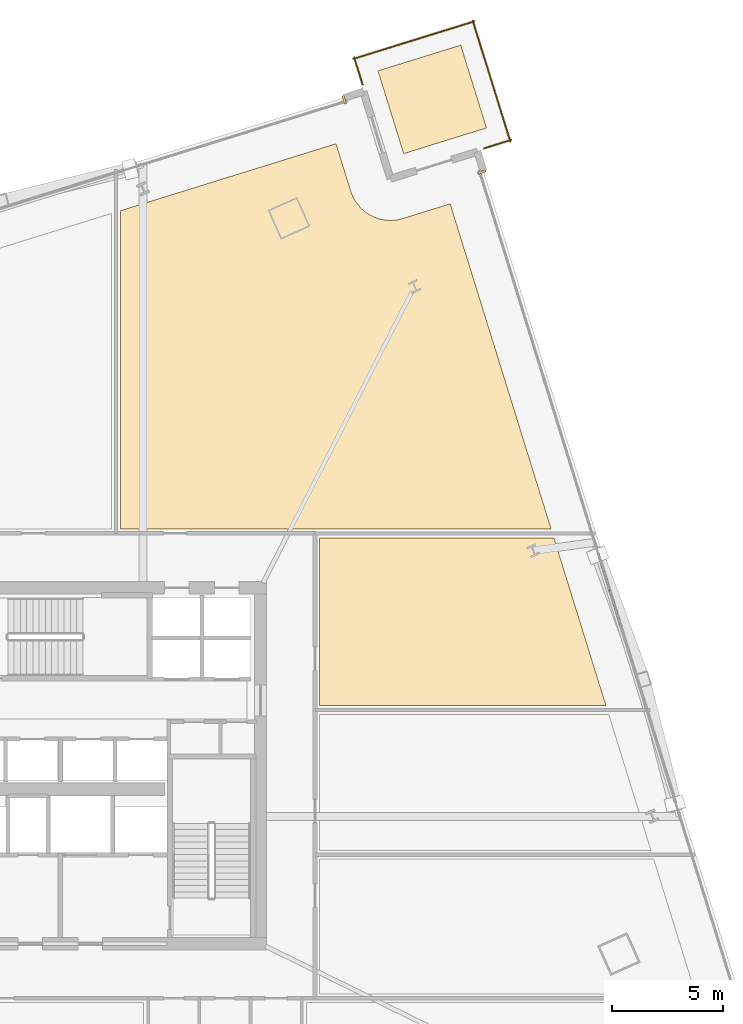
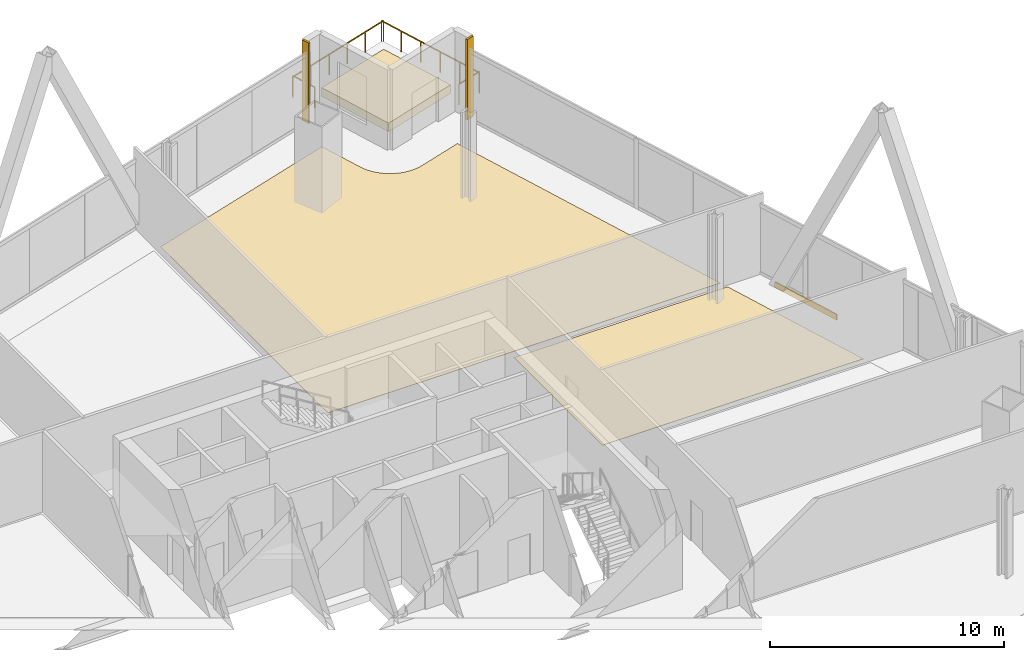
# One storey, part 26 of 26: 6 coverings, 4 railings.
"""IFC4 building model written with IfcOpenShell, lengths in metres."""

from ifc_helpers import new_model, si_unit, direction, frame, origin, origin_2d, place, context, subcontext, project, spatial, polyline, rectangle, outline, extrude, source, transform, mapped, material, layer, layer_set, type_object, element, save


model = new_model("IFC4")

# Units and contexts
model_context = context("Model", 3, precision=1e-05, world=origin(), true_north=direction((0.0, 1.0)))
body_context = subcontext(model_context, "Body", "Model", "MODEL_VIEW")
ifc_project = project(units=[si_unit("LENGTHUNIT", "METRE"), si_unit("AREAUNIT", "SQUARE_METRE"), si_unit("VOLUMEUNIT", "CUBIC_METRE"), si_unit("PLANEANGLEUNIT", "RADIAN"), si_unit("MASSUNIT", "GRAM", prefix="KILO")], contexts=[model_context])

# Site, building, storey
site_placement = place(None, origin())
site = spatial("IfcSite", under=ifc_project, at=site_placement, CompositionType="ELEMENT")
building_placement = place(site_placement, origin())
building = spatial("IfcBuilding", under=site, at=building_placement, Name="Haldenkirk Collegiate Tower", CompositionType="ELEMENT")
storey_placement = place(building_placement, frame((0.0, 0.0, 85.949951171875)))
storey = spatial("IfcBuildingStorey", under=building, at=storey_placement, Name="L20", CompositionType="ELEMENT", Elevation=85.949951171875)

# Coverings
ifc_material_1 = material(Name="Engineered collegiate oak acoustic flooring", Category="wood")
ifc_layer_1 = layer(ifc_material_1, 0.02197265625)
ifc_layer_set_1 = layer_set([ifc_layer_1], Name="Engineered collegiate oak acoustic flooring")
covering_type_1 = type_object("IfcCoveringType", Name="COV-FLOOR-TIMBER", PredefinedType="FLOORING", material=ifc_layer_set_1)
covering_1_placement = place(storey_placement, origin())
element("IfcCovering", 1, at=covering_1_placement, inside=storey, type_object=covering_type_1, Name="L20 academic room finish 07", PredefinedType="FLOORING", context=body_context, shape_type="SweptSolid", body=[
    extrude(outline(polyline([(48.395263671875, 53.96337890625), (49.056396484375, 51.833740234375), (49.058349609375, 51.828369140625), (49.1171875, 51.6669921875), (49.121826171875, 51.656005859375), (49.1962890625, 51.501220703125), (49.201904296875, 51.490966796875), (49.291259765625, 51.34423828125), (49.2978515625, 51.33447265625), (49.40087890625, 51.197265625), (49.408447265625, 51.18798828125), (49.524658203125, 51.0615234375), (49.533203125, 51.053466796875), (49.6611328125, 50.93896484375), (49.670166015625, 50.931396484375), (49.808837890625, 50.830078125), (49.818603515625, 50.823486328125), (49.966552734375, 50.736328125), (49.97705078125, 50.730712890625), (50.1328125, 50.658447265625), (50.1435546875, 50.654052734375), (50.3056640625, 50.59716796875), (50.31689453125, 50.59375), (50.48388671875, 50.552978515625), (50.495361328125, 50.55078125), (50.66552734375, 50.52685546875), (50.67724609375, 50.525634765625), (50.8486328125, 50.518310546875), (50.860595703125, 50.5185546875), (51.031982421875, 50.528076171875), (51.043701171875, 50.529296875), (51.21337890625, 50.5556640625), (51.224853515625, 50.55810546875), (51.39111328125, 50.600830078125), (51.39697265625, 50.602294921875), (53.526611328125, 51.263671875), (58.064208984375, 36.64990234375), (38.699951171875, 36.64990234375), (38.699951171875, 50.952880859375), (48.395263671875, 53.96337890625)])), origin(), (0.0, 0.0, 1.0), 0.02197265625),
])
covering_2_placement = place(storey_placement, origin())
element("IfcCovering", 2, at=covering_2_placement, inside=storey, type_object=covering_type_1, Name="L20 academic room finish 11", PredefinedType="FLOORING", context=body_context, shape_type="SweptSolid", body=[
    extrude(outline(polyline([(60.532958984375, 28.699951171875), (47.64990234375, 28.699951171875), (47.64990234375, 36.25), (58.1884765625, 36.25), (60.532958984375, 28.699951171875)])), origin(), (0.0, 0.0, 1.0), 0.02197265625),
])
ifc_material_2 = material(Name="Precast concrete f'c 40 MPa", Category="concrete")
ifc_layer_2 = layer(ifc_material_2, 0.449951171875)
ifc_layer_set_2 = layer_set([ifc_layer_2], Name="Precast concrete f'c 40 MPa")
covering_type_2 = type_object("IfcCoveringType", Name="COV-PLANTER-450", PredefinedType="USERDEFINED", material=ifc_layer_set_2)
covering_3_placement = place(storey_placement, origin())
element("IfcCovering", 3, at=covering_3_placement, inside=storey, type_object=covering_type_2, Name="L20 planted garden planter bed", ObjectType="PLANTER", PredefinedType="USERDEFINED", context=body_context, shape_type="SweptSolid", body=[
    extrude(outline(polyline([(51.43505859375, 53.5146484375), (50.278564453125, 57.2392578125), (54.003173828125, 58.395751953125), (55.15966796875, 54.671142578125), (51.43505859375, 53.5146484375)])), origin(), (0.0, 0.0, 1.0), 0.449951171875),
])

# Railings
ifc_material_3 = material(Name="Anodised architectural bronze aluminium", Category="aluminium")
railing_type = type_object("IfcRailingType", Name="RLG-TERR-BALUSTRADE-1100", PredefinedType="BALUSTRADE", material=ifc_material_3)
railing_1_placement = place(storey_placement, frame((55.0458984375, 53.75634765625, 0.0)))
element("IfcRailing", 4, at=railing_1_placement, inside=storey, type_object=railing_type, Name="L20 terrace guard balustrade 1-1", PredefinedType="BALUSTRADE", context=body_context, shape_type="SweptSolid", body=[
    extrude(rectangle(XDim=0.048095703125, YDim=0.048095703125, at=origin_2d()), frame((0.0, 0.0, 1.076171875), z_axis=(0.955004539038, 0.296591183983, 0.0), x_axis=(-0.296591183983, 0.955004539038, 0.0)), (0.0, 0.0, 1.0), 1.280029296875),
    extrude(rectangle(XDim=0.0419921875, YDim=0.0419921875, at=origin_2d()), origin(), (0.0, 0.0, 1.0), 1.052001953125),
    extrude(rectangle(XDim=0.0419921875, YDim=0.0419921875, at=origin_2d()), frame((0.611328125, 0.18994140625, 0.0)), (0.0, 0.0, 1.0), 1.052001953125),
    extrude(rectangle(XDim=0.0419921875, YDim=0.0419921875, at=origin_2d()), frame((1.222412109375, 0.379638671875, 0.0)), (0.0, 0.0, 1.0), 1.052001953125),
])
railing_2_placement = place(storey_placement, frame((56.228759765625, 54.060791015625, 0.0)))
element("IfcRailing", 5, at=railing_2_placement, inside=storey, type_object=railing_type, Name="L20 terrace guard balustrade 2-1", PredefinedType="BALUSTRADE", context=body_context, shape_type="SweptSolid", body=[
    extrude(rectangle(XDim=0.048095703125, YDim=0.048095703125, at=origin_2d()), frame((0.0, 0.0, 1.076171875), z_axis=(-0.296564915139, 0.955012696831, 0.0), x_axis=(-0.955012696831, -0.296564915139, 0.0)), (0.0, 0.0, 1.0), 5.699951171875),
    extrude(rectangle(XDim=0.0419921875, YDim=0.0419921875, at=origin_2d()), origin(), (0.0, 0.0, 1.0), 1.052001953125),
    extrude(rectangle(XDim=0.0419921875, YDim=0.0419921875, at=origin_2d()), frame((-0.338134765625, 1.088623046875, 0.0)), (0.0, 0.0, 1.0), 1.052001953125),
    extrude(rectangle(XDim=0.0419921875, YDim=0.0419921875, at=origin_2d()), frame((-0.67626953125, 2.177490234375, 0.0)), (0.0, 0.0, 1.0), 1.052001953125),
    extrude(rectangle(XDim=0.0419921875, YDim=0.0419921875, at=origin_2d()), frame((-1.01416015625, 3.26611328125, 0.0)), (0.0, 0.0, 1.0), 1.052001953125),
    extrude(rectangle(XDim=0.0419921875, YDim=0.0419921875, at=origin_2d()), frame((-1.352294921875, 4.35498046875, 0.0)), (0.0, 0.0, 1.0), 1.052001953125),
    extrude(rectangle(XDim=0.0419921875, YDim=0.0419921875, at=origin_2d()), frame((-1.6904296875, 5.443603515625, 0.0)), (0.0, 0.0, 1.0), 1.052001953125),
])
railing_3_placement = place(storey_placement, frame((54.613525390625, 59.46484375, 0.0)))
element("IfcRailing", 6, at=railing_3_placement, inside=storey, type_object=railing_type, Name="L20 terrace guard balustrade 3-1", PredefinedType="BALUSTRADE", context=body_context, shape_type="SweptSolid", body=[
    extrude(rectangle(XDim=0.048095703125, YDim=0.048095703125, at=origin_2d()), frame((0.0, 0.0, 1.076171875), z_axis=(-0.955024827047, -0.296525850009, 0.0), x_axis=(0.296525850009, -0.955024827047, 0.0)), (0.0, 0.0, 1.0), 5.699951171875),
    extrude(rectangle(XDim=0.0419921875, YDim=0.0419921875, at=origin_2d()), origin(), (0.0, 0.0, 1.0), 1.052001953125),
    extrude(rectangle(XDim=0.0419921875, YDim=0.0419921875, at=origin_2d()), frame((-1.088623046875, -0.338134765625, 0.0)), (0.0, 0.0, 1.0), 1.052001953125),
    extrude(rectangle(XDim=0.0419921875, YDim=0.0419921875, at=origin_2d()), frame((-2.177490234375, -0.676025390625, 0.0)), (0.0, 0.0, 1.0), 1.052001953125),
    extrude(rectangle(XDim=0.0419921875, YDim=0.0419921875, at=origin_2d()), frame((-3.26611328125, -1.01416015625, 0.0)), (0.0, 0.0, 1.0), 1.052001953125),
    extrude(rectangle(XDim=0.0419921875, YDim=0.0419921875, at=origin_2d()), frame((-4.35498046875, -1.35205078125, 0.0)), (0.0, 0.0, 1.0), 1.052001953125),
    extrude(rectangle(XDim=0.0419921875, YDim=0.0419921875, at=origin_2d()), frame((-5.443603515625, -1.690185546875, 0.0)), (0.0, 0.0, 1.0), 1.052001953125),
])
railing_4_placement = place(storey_placement, frame((49.20947265625, 57.849609375, 0.0)))
element("IfcRailing", 7, at=railing_4_placement, inside=storey, type_object=railing_type, Name="L20 terrace guard balustrade 4-1", PredefinedType="BALUSTRADE", context=body_context, shape_type="SweptSolid", body=[
    extrude(rectangle(XDim=0.048095703125, YDim=0.048095703125, at=origin_2d()), frame((0.0, 0.0, 1.076171875), z_axis=(0.296591183983, -0.955004539038, 0.0), x_axis=(0.955004539038, 0.296591183983, 0.0)), (0.0, 0.0, 1.0), 1.280029296875),
    extrude(rectangle(XDim=0.0419921875, YDim=0.0419921875, at=origin_2d()), origin(), (0.0, 0.0, 1.0), 1.052001953125),
    extrude(rectangle(XDim=0.0419921875, YDim=0.0419921875, at=origin_2d()), frame((0.18994140625, -0.611328125, 0.0)), (0.0, 0.0, 1.0), 1.052001953125),
    extrude(rectangle(XDim=0.0419921875, YDim=0.0419921875, at=origin_2d()), frame((0.379638671875, -1.222412109375, 0.0)), (0.0, 0.0, 1.0), 1.052001953125),
])

# Coverings
ifc_layer_3 = layer(ifc_material_3, 0.06005859375)
ifc_layer_set_3 = layer_set([ifc_layer_3], Name="Anodised architectural bronze aluminium")
covering_type_3 = type_object("IfcCoveringType", Name="COV-CLAD-BRONZE-60", PredefinedType="CLADDING", material=ifc_layer_set_3)
shared_shape_1 = source(origin(), body_context, "Body", "SweptSolid", [
    extrude(rectangle(XDim=3.60009765625, YDim=0.06005859375, at=origin_2d()), origin(), (0.0, 0.0, 1.0), 0.300048828125),
])
covering_4_placement = place(storey_placement, frame((60.69482421875, 33.877197265625, -0.2998046875), z_axis=(0.0, 0.0, 1.0), x_axis=(0.296541574976, -0.955019944457, 0.0)))
element("IfcCovering", 8, at=covering_4_placement, inside=storey, type_object=covering_type_3, Name="L20 architectural bronze spandrel cladding E", PredefinedType="CLADDING", context=body_context, shape_type="MappedRepresentation", body=[
    mapped(shared_shape_1, transform((0.0, 0.0, 0.0), x_axis=(1.0, 0.0, 0.0), y_axis=(0.0, 1.0, 0.0), z_axis=(0.0, 0.0, 1.0), scale=1.0)),
])
shared_shape_2 = source(origin(), body_context, "Body", "SweptSolid", [
    extrude(rectangle(XDim=0.10009765625, YDim=0.3798828125, at=origin_2d()), origin(), (0.0, 0.0, 1.0), 4.199951171875),
])
for number, where, z_axis, x_axis, name in (
    (9, (54.94775390625, 52.689208984375, 0.0), (0.0, 0.0, 1.0), (0.296541574976, -0.955019944457, 0.0), "L20 recessed curtain-wall bronze jamb closure EJL"),
    (10, (48.76513671875, 55.942138671875, 0.0), (0.0, 0.0, 1.0), (0.955019944457, 0.296541574976, 0.0), "L20 recessed curtain-wall bronze jamb closure NJR"),
):
    element("IfcCovering", number, at=place(storey_placement, frame(where, z_axis=z_axis, x_axis=x_axis)), inside=storey, type_object=covering_type_3, Name=name, PredefinedType="CLADDING", context=body_context, shape_type="MappedRepresentation", body=[
        mapped(shared_shape_2, transform((0.0, 0.0, 0.0), x_axis=(1.0, 0.0, 0.0), y_axis=(0.0, 1.0, 0.0), z_axis=(0.0, 0.0, 1.0), scale=1.0)),
    ])

save(model, "model.ifc")
